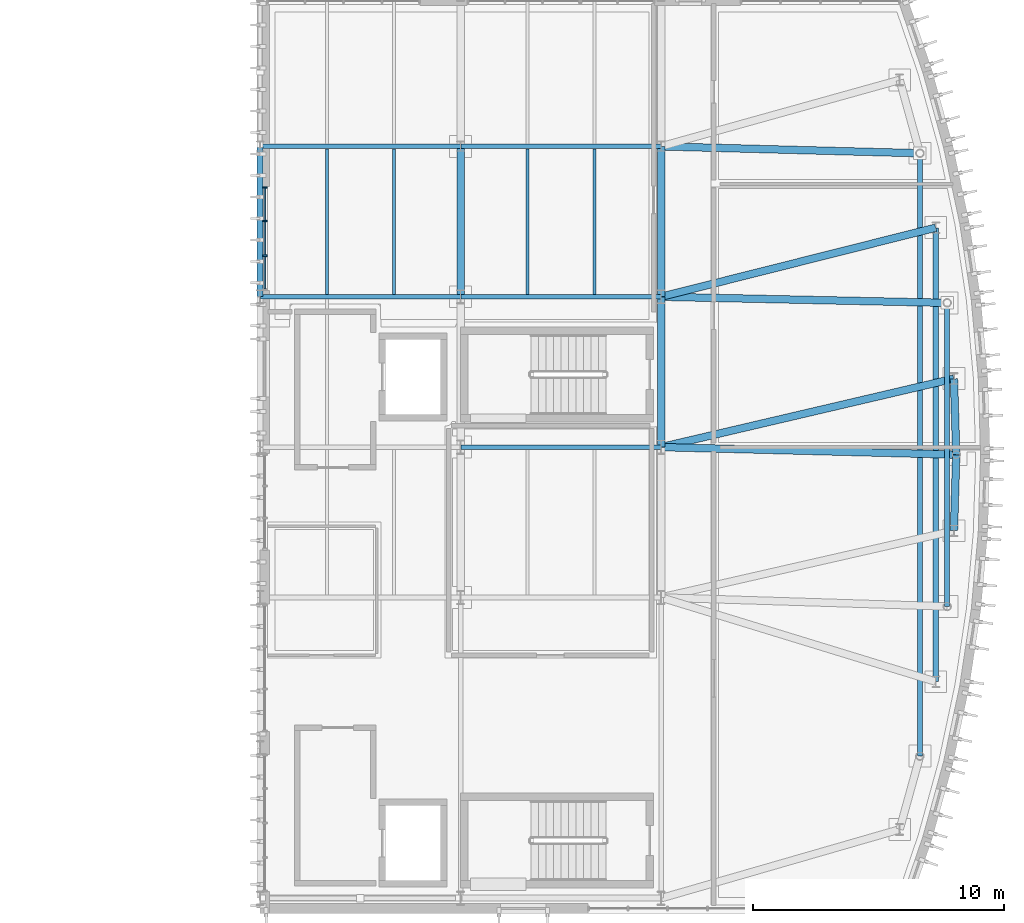
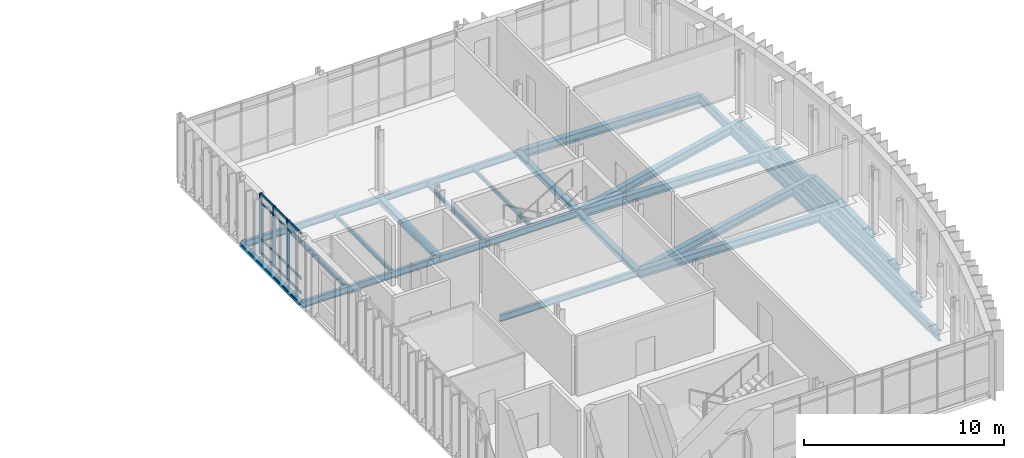
# One storey, part 14 of 43: 23 beams, 15 members, 1 element without a shape of its own.
"""IFC4 building model written with IfcOpenShell, lengths in metres."""

import ifcopenshell
import ifcopenshell.guid

model = None  # the IFC model being written
_history = None  # IfcOwnerHistory: only IFC2X3 demands one
_inside = {}  # id of a spatial element -> (the spatial element, [elements in it])
_under = {}  # id of a project, library or spatial element -> (it, [spatial elements below it])
_declared = {}  # id of a project -> (the project, [libraries it declares])
_typed = {}  # id of a type object -> (the type object, [elements of that type])
_made_of = {}  # id of a material, layer set ... -> (it, [elements and type objects made of it])


def new_model(schema):
    """Start an empty IFC model of exactly this schema.

    Asked for "IFC4X3", IfcOpenShell would pick the latest addendum, in which some entities
    have other attributes; the version numbers below select the first issue.
    IFC2X3 requires an IfcOwnerHistory on every rooted entity: one is made here for all.
    """
    global model, _history
    if schema == "IFC4X3":
        model = ifcopenshell.file(schema_version=(4, 3, 0, 0))
    else:
        model = ifcopenshell.file(schema=schema)
    _inside.clear()
    _under.clear()
    _declared.clear()
    _typed.clear()
    _made_of.clear()
    _history = None
    if model.schema == "IFC2X3":
        org = make("IfcOrganization", Name="unknown")
        user = make(
            "IfcPersonAndOrganization",
            ThePerson=make("IfcPerson", FamilyName="unknown"),
            TheOrganization=org,
        )
        app = make(
            "IfcApplication",
            ApplicationDeveloper=org,
            Version="unknown",
            ApplicationFullName="unknown",
            ApplicationIdentifier="unknown",
        )
        _history = make(
            "IfcOwnerHistory",
            OwningUser=user,
            OwningApplication=app,
            ChangeAction="ADDED",
            CreationDate=0,
        )
    return model


def make(cls, **values):
    """One entity of the class cls with the attributes given. An attribute that is None is left unset."""
    return model.create_entity(
        cls, **{name: value for name, value in values.items() if value is not None}
    )


def rooted(cls, **values):
    """An entity with a GlobalId (a new one), such as an element, a storey or a relation."""
    return make(cls, GlobalId=ifcopenshell.guid.new(), OwnerHistory=_history, **values)


def si_unit(unit_type, name, prefix=None):
    """IfcSIUnit, for example si_unit("LENGTHUNIT", "METRE", prefix="MILLI")."""
    return make("IfcSIUnit", UnitType=unit_type, Prefix=prefix, Name=name)


def assignment(units):
    """IfcUnitAssignment: the units of a project."""
    return None if units is None else make("IfcUnitAssignment", Units=units)


def point(xyz):
    """IfcCartesianPoint."""
    return None if xyz is None else make("IfcCartesianPoint", Coordinates=xyz)


def direction(xyz):
    """IfcDirection."""
    return None if xyz is None else make("IfcDirection", DirectionRatios=xyz)


def frame(location, z_axis=None, x_axis=None):
    """IfcAxis2Placement3D, a coordinate frame: its origin and axes. An axis left out is left unset."""
    return make(
        "IfcAxis2Placement3D",
        Location=point(location),
        Axis=direction(z_axis),
        RefDirection=direction(x_axis),
    )


def frame_2d(location, x_axis=None):
    """IfcAxis2Placement2D, a coordinate frame in the plane: its origin and x axis."""
    return make(
        "IfcAxis2Placement2D", Location=point(location), RefDirection=direction(x_axis)
    )


def origin():
    """The frame at (0, 0, 0) with its axes left unset."""
    return frame((0.0, 0.0, 0.0))


def origin_2d():
    """The frame at (0, 0) in the plane with its x axis left unset."""
    return frame_2d((0.0, 0.0))


def place(relative_to, where):
    """IfcLocalPlacement: puts the frame where relative to a parent placement (None: the world)."""
    return make(
        "IfcLocalPlacement", PlacementRelTo=relative_to, RelativePlacement=where
    )


def context(
    kind, dimensions, precision=None, world=None, true_north=None, identifier=None
):
    """IfcGeometricRepresentationContext, for example the 3D "Model" context."""
    return make(
        "IfcGeometricRepresentationContext",
        ContextIdentifier=identifier,
        ContextType=kind,
        CoordinateSpaceDimension=dimensions,
        Precision=precision,
        WorldCoordinateSystem=world,
        TrueNorth=true_north,
    )


def subcontext(parent, identifier, kind, view, scale=None):
    """IfcGeometricRepresentationSubContext, for example "Body" below "Model"."""
    return make(
        "IfcGeometricRepresentationSubContext",
        ContextIdentifier=identifier,
        ContextType=kind,
        ParentContext=parent,
        TargetScale=scale,
        TargetView=view,
    )


def project(units=None, contexts=None):
    """IfcProject with its units and contexts."""
    return rooted(
        "IfcProject",
        Name="project",
        RepresentationContexts=contexts,
        UnitsInContext=assignment(units),
    )


def spatial(cls, under=None, at=None, **own):
    """A site, building, storey or space (cls), placed at a placement, below another one or the project."""
    s = rooted(cls, ObjectPlacement=at, **own)
    if under is not None:
        _under.setdefault(under.id(), (under, []))[1].append(s)
    return s


def profile(cls, at=None, kind="AREA", **sizes):
    """A parametric profile (cls). Its sizes go by their IFC names, for example OverallWidth=200.0."""
    return make(cls, ProfileType=kind, Position=at, **sizes)


def rectangle(**sizes):
    """IfcRectangleProfileDef."""
    return profile("IfcRectangleProfileDef", **sizes)


def i_section(**sizes):
    """IfcIShapeProfileDef."""
    return profile("IfcIShapeProfileDef", **sizes)


def extrude(swept, where, along, depth):
    """IfcExtrudedAreaSolid: the profile swept, set in the frame where, extruded along a direction by depth."""
    return make(
        "IfcExtrudedAreaSolid",
        SweptArea=swept,
        Position=where,
        ExtrudedDirection=direction(along),
        Depth=depth,
    )


def shape(context_of_items, identifier, shape_type, items):
    """IfcShapeRepresentation: the items that make up one representation, for example the "Body"."""
    return make(
        "IfcShapeRepresentation",
        ContextOfItems=context_of_items,
        RepresentationIdentifier=identifier,
        RepresentationType=shape_type,
        Items=items,
    )


def material(Name=None, Category=None):
    """IfcMaterial."""
    return make("IfcMaterial", Name=Name, Category=Category)


def material_profile(
    of_material, cross_section, Name=None, Category=None, Priority=None
):
    """IfcMaterialProfile: a cross section and its material."""
    return make(
        "IfcMaterialProfile",
        Name=Name,
        Material=of_material,
        Profile=cross_section,
        Priority=Priority,
        Category=Category,
    )


def profile_set(profiles, Name=None, composite=None):
    """IfcMaterialProfileSet."""
    return make(
        "IfcMaterialProfileSet",
        Name=Name,
        MaterialProfiles=profiles,
        CompositeProfile=composite,
    )


def made_of(thing, what):
    """Note that an element or type object is made of a material, layer set ...; save() writes the relation."""
    if what is not None:
        _made_of.setdefault(what.id(), (what, []))[1].append(thing)
    return thing


def type_object(cls, material=None, **own):
    """A type object (cls), such as IfcWallType, which elements share."""
    return made_of(rooted(cls, **own), material)


def element(
    cls,
    number,
    at=None,
    inside=None,
    cuts=None,
    type_object=None,
    material=None,
    context=None,
    identifier="Body",
    shape_type=None,
    held_by="IfcProductDefinitionShape",
    body=None,
    shapes=None,
    **own,
):
    """One element of the class cls, such as IfcWall. Its Tag is "e" and its number.

    at: its placement. inside: the storey or other place that contains it. cuts: it is an
    opening in that element (IfcRelVoidsElement). A single representation is given by context,
    identifier, shape_type and body (its items); several are given by shapes. held_by: the class
    of the entity that holds the representations. save() writes the other relations.
    """
    e = rooted(cls, Tag="e%d" % number, ObjectPlacement=at, **own)
    if body is not None:
        shapes = [shape(context, identifier, shape_type, body)]
    if shapes is not None:
        e.Representation = make(held_by, Representations=shapes)
    if inside is not None:
        _inside.setdefault(inside.id(), (inside, []))[1].append(e)
    if cuts is not None:
        rooted(
            "IfcRelVoidsElement", RelatingBuildingElement=cuts, RelatedOpeningElement=e
        )
    if type_object is not None:
        _typed.setdefault(type_object.id(), (type_object, []))[1].append(e)
    return made_of(e, material)


def aggregate(whole, parts):
    """IfcRelAggregates: a whole, such as a stair, and the parts it consists of."""
    return rooted("IfcRelAggregates", RelatingObject=whole, RelatedObjects=parts)


def save(model, path):
    """Write the relations noted so far, then the file.

    IfcRelAggregates (storeys below a building ...), IfcRelContainedInSpatialStructure (elements
    in a storey), IfcRelDefinesByType, IfcRelAssociatesMaterial and IfcRelDeclares: one each for
    every whole, place, type object, material and project.
    """
    for whole, parts in _under.values():
        aggregate(whole, parts)
    for where, things in _inside.values():
        rooted(
            "IfcRelContainedInSpatialStructure",
            RelatedElements=things,
            RelatingStructure=where,
        )
    for kind, things in _typed.values():
        rooted("IfcRelDefinesByType", RelatedObjects=things, RelatingType=kind)
    for what, things in _made_of.values():
        rooted("IfcRelAssociatesMaterial", RelatedObjects=things, RelatingMaterial=what)
    for by, libraries in _declared.values():
        rooted("IfcRelDeclares", RelatingContext=by, RelatedDefinitions=libraries)
    model.write(path)


model = new_model("IFC4")

# Units and contexts
model_context = context("Model", 3, precision=1e-05, world=origin(), true_north=direction((0.0, 1.0)))
body_context = subcontext(model_context, "Body", "Model", "MODEL_VIEW")
ifc_project = project(units=[si_unit("LENGTHUNIT", "METRE"), si_unit("AREAUNIT", "SQUARE_METRE"), si_unit("VOLUMEUNIT", "CUBIC_METRE"), si_unit("PLANEANGLEUNIT", "RADIAN"), si_unit("MASSUNIT", "GRAM", prefix="KILO")], contexts=[model_context])

# Site, building, storey
site_placement = place(None, origin())
site = spatial("IfcSite", under=ifc_project, at=site_placement, CompositionType="ELEMENT")
building_placement = place(site_placement, origin())
building = spatial("IfcBuilding", under=site, at=building_placement, Name="Cymarion Research Institute", CompositionType="ELEMENT")
storey_placement = place(building_placement, frame((0.0, 0.0, 22.800048828125)))
storey = spatial("IfcBuildingStorey", under=building, at=storey_placement, Name="L05", CompositionType="ELEMENT", Elevation=22.800048828125)

# Curtain wall, members
ifc_material_1 = material(Name="Anodised aluminium unitised curtain wall with Low-E glazing", Category="aluminium")
curtain_wall_type = type_object("IfcCurtainWallType", Name="UNITISED CURTAIN WALL CW51 4130X3680", PredefinedType="NOTDEFINED", material=ifc_material_1)
curtain_wall_placement = place(storey_placement, origin())
curtain_wall = element("IfcCurtainWall", 1, at=curtain_wall_placement, inside=storey, type_object=curtain_wall_type, Name="L05 V1 unitised curtain wall CW51 #206", PredefinedType="NOTDEFINED")
ifc_material_2 = material(Name="Anodised aluminium framing", Category="aluminium")
ifc_material_profile_1 = material_profile(ifc_material_2, rectangle(XDim=0.06005859375, YDim=0.179931640625, at=origin_2d()), Name="ALU MULLION 60x180")
ifc_profile_set_1 = profile_set([ifc_material_profile_1], Name="Anodised aluminium framing")
member_type_1 = type_object("IfcMemberType", Name="CURTAIN WALL MULLION ML01 60X180", PredefinedType="MULLION", material=ifc_profile_set_1)
member_1_placement = place(storey_placement, frame((138.7900390625, 33.8603515625, 0.0), z_axis=(0.0, 0.0, 1.0), x_axis=(0.0, -1.0, 0.0)))
member_1 = element("IfcMember", 2, at=member_1_placement, type_object=member_type_1, Name="CW51 mullion 1", PredefinedType="MULLION", context=body_context, shape_type="SweptSolid", body=[
    extrude(rectangle(XDim=0.06005859375, YDim=0.179931640625, at=origin_2d()), origin(), (0.0, 0.0, 1.0), 3.679931640625),
])
member_2_placement = place(storey_placement, frame((138.7900390625, 32.513671875, 0.0), z_axis=(0.0, 0.0, 1.0), x_axis=(0.0, -1.0, 0.0)))
member_2 = element("IfcMember", 3, at=member_2_placement, type_object=member_type_1, Name="CW51 mullion 2", PredefinedType="MULLION", context=body_context, shape_type="SweptSolid", body=[
    extrude(rectangle(XDim=0.06005859375, YDim=0.179931640625, at=origin_2d()), origin(), (0.0, 0.0, 1.0), 3.679931640625),
])
member_3_placement = place(storey_placement, frame((138.7900390625, 31.13671875, 0.0), z_axis=(0.0, 0.0, 1.0), x_axis=(0.0, -1.0, 0.0)))
member_3 = element("IfcMember", 4, at=member_3_placement, type_object=member_type_1, Name="CW51 mullion 3", PredefinedType="MULLION", context=body_context, shape_type="SweptSolid", body=[
    extrude(rectangle(XDim=0.06005859375, YDim=0.179931640625, at=origin_2d()), origin(), (0.0, 0.0, 1.0), 3.679931640625),
])
ifc_material_profile_2 = material_profile(ifc_material_2, rectangle(XDim=0.06005859375, YDim=0.14990234375, at=origin_2d()), Name="ALU TRANSOM 60x150")
ifc_profile_set_2 = profile_set([ifc_material_profile_2], Name="Anodised aluminium framing")
member_type_2 = type_object("IfcMemberType", Name="CURTAIN WALL TRANSOM TR01 60X150", PredefinedType="USERDEFINED", material=ifc_profile_set_2)
member_4_placement = place(storey_placement, frame((138.7900390625, 33.830322265625, 0.030029296875), z_axis=(0.0, -1.0, 0.0), x_axis=(1.0, 0.0, 0.0)))
member_4 = element("IfcMember", 5, at=member_4_placement, type_object=member_type_2, Name="CW51 transom 1.1", ObjectType="TRANSOM", PredefinedType="USERDEFINED", context=body_context, shape_type="SweptSolid", body=[
    extrude(rectangle(XDim=0.06005859375, YDim=0.14990234375, at=origin_2d()), origin(), (0.0, 0.0, 1.0), 1.28662109375),
])
member_5_placement = place(storey_placement, frame((138.7900390625, 33.830322265625, 0.89990234375), z_axis=(0.0, -1.0, 0.0), x_axis=(1.0, 0.0, 0.0)))
member_5 = element("IfcMember", 6, at=member_5_placement, type_object=member_type_2, Name="CW51 transom 1.2", ObjectType="TRANSOM", PredefinedType="USERDEFINED", context=body_context, shape_type="SweptSolid", body=[
    extrude(rectangle(XDim=0.06005859375, YDim=0.14990234375, at=origin_2d()), origin(), (0.0, 0.0, 1.0), 1.28662109375),
])
member_6_placement = place(storey_placement, frame((138.7900390625, 33.830322265625, 3.1298828125), z_axis=(0.0, -1.0, 0.0), x_axis=(1.0, 0.0, 0.0)))
member_6 = element("IfcMember", 7, at=member_6_placement, type_object=member_type_2, Name="CW51 transom 1.3", ObjectType="TRANSOM", PredefinedType="USERDEFINED", context=body_context, shape_type="SweptSolid", body=[
    extrude(rectangle(XDim=0.06005859375, YDim=0.14990234375, at=origin_2d()), origin(), (0.0, 0.0, 1.0), 1.28662109375),
])
member_7_placement = place(storey_placement, frame((138.7900390625, 33.830322265625, 3.64990234375), z_axis=(0.0, -1.0, 0.0), x_axis=(1.0, 0.0, 0.0)))
member_7 = element("IfcMember", 8, at=member_7_placement, type_object=member_type_2, Name="CW51 transom 1.4", ObjectType="TRANSOM", PredefinedType="USERDEFINED", context=body_context, shape_type="SweptSolid", body=[
    extrude(rectangle(XDim=0.06005859375, YDim=0.14990234375, at=origin_2d()), origin(), (0.0, 0.0, 1.0), 1.28662109375),
])
member_8_placement = place(storey_placement, frame((138.7900390625, 32.483642578125, 0.030029296875), z_axis=(0.0, -1.0, 0.0), x_axis=(1.0, 0.0, 0.0)))
member_8 = element("IfcMember", 9, at=member_8_placement, type_object=member_type_2, Name="CW51 transom 2.1", ObjectType="TRANSOM", PredefinedType="USERDEFINED", context=body_context, shape_type="SweptSolid", body=[
    extrude(rectangle(XDim=0.06005859375, YDim=0.14990234375, at=origin_2d()), origin(), (0.0, 0.0, 1.0), 1.31689453125),
])
member_9_placement = place(storey_placement, frame((138.7900390625, 32.483642578125, 0.89990234375), z_axis=(0.0, -1.0, 0.0), x_axis=(1.0, 0.0, 0.0)))
member_9 = element("IfcMember", 10, at=member_9_placement, type_object=member_type_2, Name="CW51 transom 2.2", ObjectType="TRANSOM", PredefinedType="USERDEFINED", context=body_context, shape_type="SweptSolid", body=[
    extrude(rectangle(XDim=0.06005859375, YDim=0.14990234375, at=origin_2d()), origin(), (0.0, 0.0, 1.0), 1.31689453125),
])
member_10_placement = place(storey_placement, frame((138.7900390625, 32.483642578125, 3.1298828125), z_axis=(0.0, -1.0, 0.0), x_axis=(1.0, 0.0, 0.0)))
member_10 = element("IfcMember", 11, at=member_10_placement, type_object=member_type_2, Name="CW51 transom 2.3", ObjectType="TRANSOM", PredefinedType="USERDEFINED", context=body_context, shape_type="SweptSolid", body=[
    extrude(rectangle(XDim=0.06005859375, YDim=0.14990234375, at=origin_2d()), origin(), (0.0, 0.0, 1.0), 1.31689453125),
])
member_11_placement = place(storey_placement, frame((138.7900390625, 32.483642578125, 3.64990234375), z_axis=(0.0, -1.0, 0.0), x_axis=(1.0, 0.0, 0.0)))
member_11 = element("IfcMember", 12, at=member_11_placement, type_object=member_type_2, Name="CW51 transom 2.4", ObjectType="TRANSOM", PredefinedType="USERDEFINED", context=body_context, shape_type="SweptSolid", body=[
    extrude(rectangle(XDim=0.06005859375, YDim=0.14990234375, at=origin_2d()), origin(), (0.0, 0.0, 1.0), 1.31689453125),
])
member_12_placement = place(storey_placement, frame((138.7900390625, 31.106689453125, 0.030029296875), z_axis=(0.0, -1.0, 0.0), x_axis=(1.0, 0.0, 0.0)))
member_12 = element("IfcMember", 13, at=member_12_placement, type_object=member_type_2, Name="CW51 transom 3.1", ObjectType="TRANSOM", PredefinedType="USERDEFINED", context=body_context, shape_type="SweptSolid", body=[
    extrude(rectangle(XDim=0.06005859375, YDim=0.14990234375, at=origin_2d()), origin(), (0.0, 0.0, 1.0), 1.28662109375),
])
member_13_placement = place(storey_placement, frame((138.7900390625, 31.106689453125, 0.89990234375), z_axis=(0.0, -1.0, 0.0), x_axis=(1.0, 0.0, 0.0)))
member_13 = element("IfcMember", 14, at=member_13_placement, type_object=member_type_2, Name="CW51 transom 3.2", ObjectType="TRANSOM", PredefinedType="USERDEFINED", context=body_context, shape_type="SweptSolid", body=[
    extrude(rectangle(XDim=0.06005859375, YDim=0.14990234375, at=origin_2d()), origin(), (0.0, 0.0, 1.0), 1.28662109375),
])
member_14_placement = place(storey_placement, frame((138.7900390625, 31.106689453125, 3.1298828125), z_axis=(0.0, -1.0, 0.0), x_axis=(1.0, 0.0, 0.0)))
member_14 = element("IfcMember", 15, at=member_14_placement, type_object=member_type_2, Name="CW51 transom 3.3", ObjectType="TRANSOM", PredefinedType="USERDEFINED", context=body_context, shape_type="SweptSolid", body=[
    extrude(rectangle(XDim=0.06005859375, YDim=0.14990234375, at=origin_2d()), origin(), (0.0, 0.0, 1.0), 1.28662109375),
])
member_15_placement = place(storey_placement, frame((138.7900390625, 31.106689453125, 3.64990234375), z_axis=(0.0, -1.0, 0.0), x_axis=(1.0, 0.0, 0.0)))
member_15 = element("IfcMember", 16, at=member_15_placement, type_object=member_type_2, Name="CW51 transom 3.4", ObjectType="TRANSOM", PredefinedType="USERDEFINED", context=body_context, shape_type="SweptSolid", body=[
    extrude(rectangle(XDim=0.06005859375, YDim=0.14990234375, at=origin_2d()), origin(), (0.0, 0.0, 1.0), 1.28662109375),
])
aggregate(curtain_wall, [member_1, member_2, member_3, member_4, member_5, member_6, member_7, member_8, member_9, member_10, member_11, member_12, member_13, member_14, member_15])

# Beams
ifc_material_3 = material(Name="Steel S355", Category="steel")
ifc_material_profile_3 = material_profile(ifc_material_3, i_section(OverallWidth=0.2099609375, OverallDepth=0.550048828125, WebThickness=0.010986328125, FlangeThickness=0.01708984375, FilletRadius=0.02392578125, at=origin_2d()), Name="IPE 550")
ifc_profile_set_3 = profile_set([ifc_material_profile_3], Name="Steel S355")
beam_type_1 = type_object("IfcBeamType", Name="PRIMARY GIRDER BM02 IPE 550", PredefinedType="BEAM", material=ifc_profile_set_3)
beam_1_placement = place(storey_placement, frame((164.929931640625, 11.1787109375, -0.4951171875), z_axis=(0.0, 1.0, 0.0), x_axis=(-1.0, 0.0, 0.0)))
element("IfcBeam", 17, at=beam_1_placement, inside=storey, type_object=beam_type_1, Name="L05 V1 girder BM02 #1871", PredefinedType="BEAM", context=body_context, shape_type="SweptSolid", body=[
    extrude(i_section(OverallWidth=0.2099609375, OverallDepth=0.550048828125, WebThickness=0.010986328125, FlangeThickness=0.01708984375, FilletRadius=0.02392578125, at=origin_2d()), origin(), (0.0, 0.0, 1.0), 24.04248046875),
])
beam_2_placement = place(storey_placement, frame((165.56005859375, 14.1474609375, -0.4951171875), z_axis=(0.0, 1.0, 0.0), x_axis=(-1.0, 0.0, 0.0)))
element("IfcBeam", 18, at=beam_2_placement, inside=storey, type_object=beam_type_1, Name="L05 V1 girder BM02 #1872", PredefinedType="BEAM", context=body_context, shape_type="SweptSolid", body=[
    extrude(i_section(OverallWidth=0.2099609375, OverallDepth=0.550048828125, WebThickness=0.010986328125, FlangeThickness=0.01708984375, FilletRadius=0.02392578125, at=origin_2d()), origin(), (0.0, 0.0, 1.0), 18.10498046875),
])
beam_3_placement = place(storey_placement, frame((166.010009765625, 17.148681640625, -0.4951171875), z_axis=(0.0, 1.0, 0.0), x_axis=(-1.0, 0.0, 0.0)))
element("IfcBeam", 19, at=beam_3_placement, inside=storey, type_object=beam_type_1, Name="L05 V1 girder BM02 #1873", PredefinedType="BEAM", context=body_context, shape_type="SweptSolid", body=[
    extrude(i_section(OverallWidth=0.2099609375, OverallDepth=0.550048828125, WebThickness=0.010986328125, FlangeThickness=0.01708984375, FilletRadius=0.02392578125, at=origin_2d()), origin(), (0.0, 0.0, 1.0), 12.1025390625),
])
ifc_material_profile_4 = material_profile(ifc_material_3, i_section(OverallWidth=0.179931640625, OverallDepth=0.39990234375, WebThickness=0.008544921875, FlangeThickness=0.013427734375, FilletRadius=0.02099609375, at=origin_2d()), Name="IPE 400")
ifc_profile_set_4 = profile_set([ifc_material_profile_4], Name="Steel S355")
beam_type_2 = type_object("IfcBeamType", Name="PRIMARY GIRDER BM05 IPE 400", PredefinedType="BEAM", material=ifc_profile_set_4)
for number, where, z_axis, x_axis, name in (
    (20, (146.60595703125, 23.5, -0.420166015625), (1.0, 0.0, 0.0), (0.0, 1.0, 0.0), "L05 V1 girder BM05 #1848"),
    (21, (138.60595703125, 29.5, -0.420166015625), (1.0, 0.0, 0.0), (0.0, 1.0, 0.0), "L05 V1 girder BM05 #1849"),
    (22, (146.60595703125, 29.5, -0.420166015625), (1.0, 0.0, 0.0), (0.0, 1.0, 0.0), "L05 V1 girder BM05 #1850"),
    (23, (138.60595703125, 35.5, -0.420166015625), (1.0, 0.0, 0.0), (0.0, 1.0, 0.0), "L05 V1 girder BM05 #1851"),
    (24, (146.60595703125, 35.5, -0.420166015625), (1.0, 0.0, 0.0), (0.0, 1.0, 0.0), "L05 V1 girder BM05 #1852"),
):
    element("IfcBeam", number, at=place(storey_placement, frame(where, z_axis=z_axis, x_axis=x_axis)), inside=storey, type_object=beam_type_2, Name=name, PredefinedType="BEAM", context=body_context, shape_type="SweptSolid", body=[
        extrude(i_section(OverallWidth=0.179931640625, OverallDepth=0.39990234375, WebThickness=0.008544921875, FlangeThickness=0.013427734375, FilletRadius=0.02099609375, at=origin_2d()), origin(), (0.0, 0.0, 1.0), 7.988037109375),
    ])
ifc_material_profile_5 = material_profile(ifc_material_3, i_section(OverallWidth=0.300048828125, OverallDepth=0.5, WebThickness=0.014404296875, FlangeThickness=0.028076171875, FilletRadius=0.027099609375, at=origin_2d()), Name="HEB 500")
ifc_profile_set_5 = profile_set([ifc_material_profile_5], Name="Steel S355")
beam_type_3 = type_object("IfcBeamType", Name="PRIMARY GIRDER BM09 HEB 500", PredefinedType="BEAM", material=ifc_profile_set_5)
beam_4_placement = place(storey_placement, frame((154.60791015625, 23.499755859375, -0.469970703125), z_axis=(0.999675752574, -0.025463497715, 0.0), x_axis=(0.025463497715, 0.999675752574, 0.0)))
element("IfcBeam", 25, at=beam_4_placement, inside=storey, type_object=beam_type_3, Name="L05 V1 radial prow girder BM09 #1882", PredefinedType="BEAM", context=body_context, shape_type="SweptSolid", body=[
    extrude(i_section(OverallWidth=0.300048828125, OverallDepth=0.5, WebThickness=0.014404296875, FlangeThickness=0.028076171875, FilletRadius=0.027099609375, at=origin_2d()), origin(), (0.0, 0.0, 1.0), 11.764404296875),
])
beam_5_placement = place(storey_placement, frame((154.60791015625, 23.501708984375, -0.469970703125), z_axis=(0.973701737176, 0.22782652835, 0.0), x_axis=(-0.22782652835, 0.973701737176, 0.0)))
element("IfcBeam", 26, at=beam_5_placement, inside=storey, type_object=beam_type_3, Name="L05 V1 radial prow girder BM09 #1883", PredefinedType="BEAM", context=body_context, shape_type="SweptSolid", body=[
    extrude(i_section(OverallWidth=0.300048828125, OverallDepth=0.5, WebThickness=0.014404296875, FlangeThickness=0.028076171875, FilletRadius=0.027099609375, at=origin_2d()), origin(), (0.0, 0.0, 1.0), 11.98486328125),
])
beam_6_placement = place(storey_placement, frame((154.60791015625, 29.499755859375, -0.469970703125), z_axis=(0.999773836643, -0.021266771342, 0.0), x_axis=(0.021266771342, 0.999773836643, 0.0)))
element("IfcBeam", 27, at=beam_6_placement, inside=storey, type_object=beam_type_3, Name="L05 V1 radial prow girder BM09 #1884", PredefinedType="BEAM", context=body_context, shape_type="SweptSolid", body=[
    extrude(i_section(OverallWidth=0.300048828125, OverallDepth=0.5, WebThickness=0.014404296875, FlangeThickness=0.028076171875, FilletRadius=0.027099609375, at=origin_2d()), origin(), (0.0, 0.0, 1.0), 11.399658203125),
])
beam_7_placement = place(storey_placement, frame((154.60791015625, 29.501953125, -0.469970703125), z_axis=(0.969753132193, 0.244087817399, 0.0), x_axis=(-0.244087817399, 0.969753132193, 0.0)))
element("IfcBeam", 28, at=beam_7_placement, inside=storey, type_object=beam_type_3, Name="L05 V1 radial prow girder BM09 #1885", PredefinedType="BEAM", context=body_context, shape_type="SweptSolid", body=[
    extrude(i_section(OverallWidth=0.300048828125, OverallDepth=0.5, WebThickness=0.014404296875, FlangeThickness=0.028076171875, FilletRadius=0.027099609375, at=origin_2d()), origin(), (0.0, 0.0, 1.0), 11.285400390625),
])
beam_8_placement = place(storey_placement, frame((154.60791015625, 35.499755859375, -0.469970703125), z_axis=(0.999651753998, -0.026388837201, 0.0), x_axis=(0.026388837201, 0.999651753998, 0.0)))
element("IfcBeam", 29, at=beam_8_placement, inside=storey, type_object=beam_type_3, Name="L05 V1 radial prow girder BM09 #1886", PredefinedType="BEAM", context=body_context, shape_type="SweptSolid", body=[
    extrude(i_section(OverallWidth=0.300048828125, OverallDepth=0.5, WebThickness=0.014404296875, FlangeThickness=0.028076171875, FilletRadius=0.027099609375, at=origin_2d()), origin(), (0.0, 0.0, 1.0), 10.315673828125),
])
ifc_material_profile_6 = material_profile(ifc_material_3, i_section(OverallWidth=0.300048828125, OverallDepth=0.39990234375, WebThickness=0.013427734375, FlangeThickness=0.02392578125, FilletRadius=0.027099609375, at=origin_2d()), Name="HEB 400")
ifc_profile_set_6 = profile_set([ifc_material_profile_6], Name="Steel S355")
beam_type_4 = type_object("IfcBeamType", Name="PRIMARY GIRDER BM11 HEB 400", PredefinedType="BEAM", material=ifc_profile_set_6)
beam_9_placement = place(storey_placement, frame((166.28564453125, 20.174072265625, -0.420166015625), z_axis=(0.030000243484, 0.999549891397, 0.0), x_axis=(-0.999549891397, 0.030000243484, 0.0)))
element("IfcBeam", 30, at=beam_9_placement, inside=storey, type_object=beam_type_4, Name="L05 V1 prow ring girder BM11 #1875", PredefinedType="BEAM", context=body_context, shape_type="SweptSolid", body=[
    extrude(i_section(OverallWidth=0.300048828125, OverallDepth=0.39990234375, WebThickness=0.013427734375, FlangeThickness=0.02392578125, FilletRadius=0.027099609375, at=origin_2d()), origin(), (0.0, 0.0, 1.0), 3.019287109375),
])
beam_10_placement = place(storey_placement, frame((166.376220703125, 23.2080078125, -0.420166015625), z_axis=(-0.029997818857, 0.999549964166, 0.0), x_axis=(-0.999549964166, -0.029997818857, 0.0)))
element("IfcBeam", 31, at=beam_10_placement, inside=storey, type_object=beam_type_4, Name="L05 V1 prow ring girder BM11 #1876", PredefinedType="BEAM", context=body_context, shape_type="SweptSolid", body=[
    extrude(i_section(OverallWidth=0.300048828125, OverallDepth=0.39990234375, WebThickness=0.013427734375, FlangeThickness=0.02392578125, FilletRadius=0.027099609375, at=origin_2d()), origin(), (0.0, 0.0, 1.0), 3.01953125),
])
ifc_material_profile_7 = material_profile(ifc_material_3, i_section(OverallWidth=0.300048828125, OverallDepth=0.35009765625, WebThickness=0.010009765625, FlangeThickness=0.017578125, FilletRadius=0.027099609375, at=origin_2d()), Name="HEA 360")
ifc_profile_set_7 = profile_set([ifc_material_profile_7], Name="Steel S355")
beam_type_5 = type_object("IfcBeamType", Name="PRIMARY GIRDER BM12 HEA 360", PredefinedType="BEAM", material=ifc_profile_set_7)
for number, where, z_axis, x_axis, name in (
    (32, (146.60009765625, 29.506103515625, -0.39501953125), (0.0, 1.0, 0.0), (-1.0, 0.0, 0.0), "L05 V1 girder BM12 #1864"),
    (33, (154.60009765625, 23.506103515625, -0.39501953125), (0.0, 1.0, 0.0), (-1.0, 0.0, 0.0), "L05 V1 girder BM12 #1868"),
    (34, (154.60009765625, 29.506103515625, -0.39501953125), (0.0, 1.0, 0.0), (-1.0, 0.0, 0.0), "L05 V1 girder BM12 #1869"),
):
    element("IfcBeam", number, at=place(storey_placement, frame(where, z_axis=z_axis, x_axis=x_axis)), inside=storey, type_object=beam_type_5, Name=name, PredefinedType="BEAM", context=body_context, shape_type="SweptSolid", body=[
        extrude(i_section(OverallWidth=0.300048828125, OverallDepth=0.35009765625, WebThickness=0.010009765625, FlangeThickness=0.017578125, FilletRadius=0.027099609375, at=origin_2d()), origin(), (0.0, 0.0, 1.0), 5.98779296875),
    ])
ifc_material_profile_8 = material_profile(ifc_material_3, i_section(OverallWidth=0.1201171875, OverallDepth=0.239990234375, WebThickness=0.006103515625, FlangeThickness=0.009765625, FilletRadius=0.014892578125, at=origin_2d()), Name="IPE 240")
ifc_profile_set_8 = profile_set([ifc_material_profile_8], Name="Steel S355")
beam_type_6 = type_object("IfcBeamType", Name="SECONDARY JOIST JS04 IPE 240", PredefinedType="JOIST", material=ifc_profile_set_8)
for number, where, z_axis, x_axis, name in (
    (35, (141.2666015625, 29.593994140625, -0.340087890625), (0.0, 1.0, 0.0), (-1.0, 0.0, 0.0), "L05 V1 secondary joist JS04 #1893"),
    (36, (143.933349609375, 29.593994140625, -0.340087890625), (0.0, 1.0, 0.0), (-1.0, 0.0, 0.0), "L05 V1 secondary joist JS04 #1894"),
    (37, (149.2666015625, 29.593994140625, -0.340087890625), (0.0, 1.0, 0.0), (-1.0, 0.0, 0.0), "L05 V1 secondary joist JS04 #1895"),
    (38, (151.933349609375, 29.593994140625, -0.340087890625), (0.0, 1.0, 0.0), (-1.0, 0.0, 0.0), "L05 V1 secondary joist JS04 #1896"),
):
    element("IfcBeam", number, at=place(storey_placement, frame(where, z_axis=z_axis, x_axis=x_axis)), inside=storey, type_object=beam_type_6, Name=name, PredefinedType="JOIST", context=body_context, shape_type="SweptSolid", body=[
        extrude(i_section(OverallWidth=0.1201171875, OverallDepth=0.239990234375, WebThickness=0.006103515625, FlangeThickness=0.009765625, FilletRadius=0.014892578125, at=origin_2d()), origin(), (0.0, 0.0, 1.0), 5.81201171875),
    ])
ifc_material_profile_9 = material_profile(ifc_material_3, i_section(OverallWidth=0.239990234375, OverallDepth=0.22998046875, WebThickness=0.007568359375, FlangeThickness=0.011962890625, FilletRadius=0.02099609375, at=origin_2d()), Name="HEA 240")
ifc_profile_set_9 = profile_set([ifc_material_profile_9], Name="Steel S355")
beam_type_7 = type_object("IfcBeamType", Name="SPANDREL BEAM SPB03 HEA 240", PredefinedType="SPANDREL", material=ifc_profile_set_9)
beam_11_placement = place(storey_placement, frame((138.60009765625, 29.506103515625, -0.3349609375), z_axis=(0.0, 1.0, 0.0), x_axis=(-1.0, 0.0, 0.0)))
element("IfcBeam", 39, at=beam_11_placement, inside=storey, type_object=beam_type_7, Name="L05 V1 girder SPB03 #1859", PredefinedType="SPANDREL", context=body_context, shape_type="SweptSolid", body=[
    extrude(i_section(OverallWidth=0.239990234375, OverallDepth=0.22998046875, WebThickness=0.007568359375, FlangeThickness=0.011962890625, FilletRadius=0.02099609375, at=origin_2d()), origin(), (0.0, 0.0, 1.0), 5.98779296875),
])

save(model, "model.ifc")
